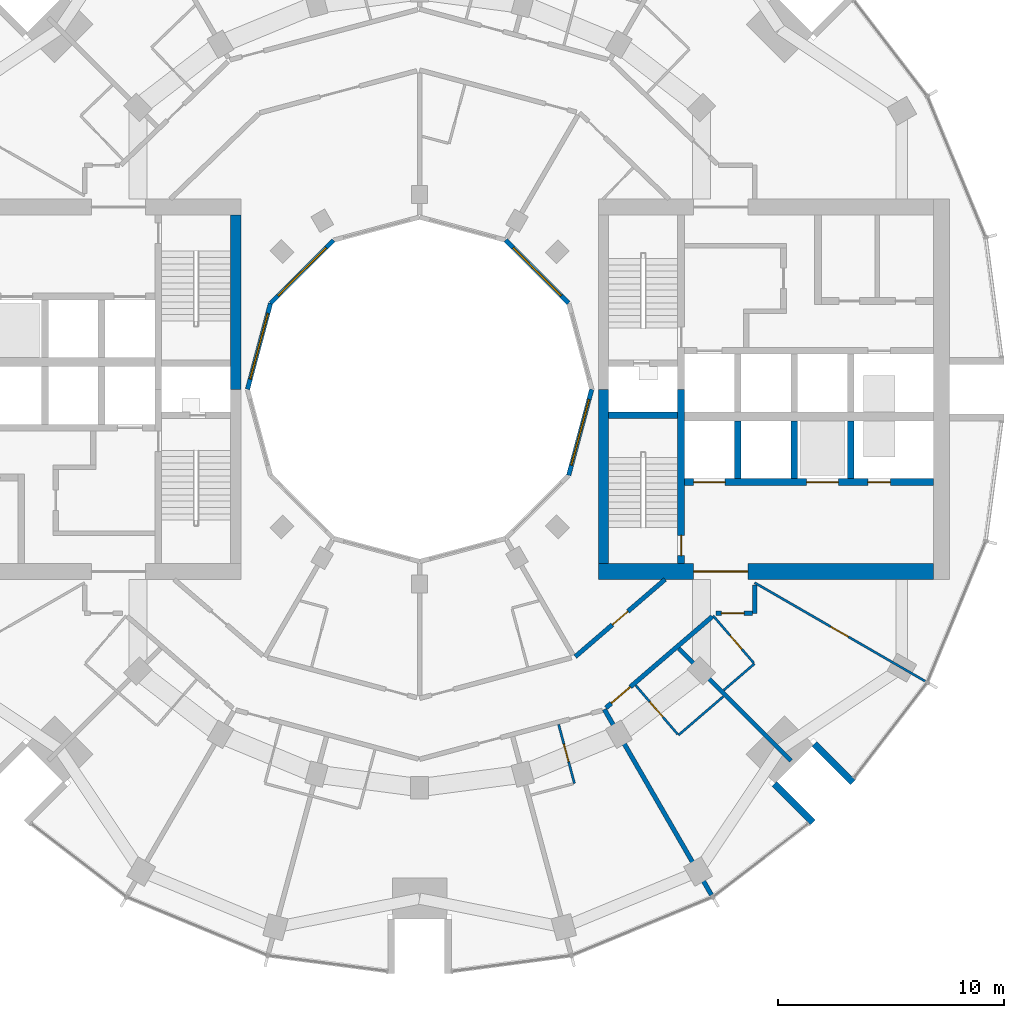
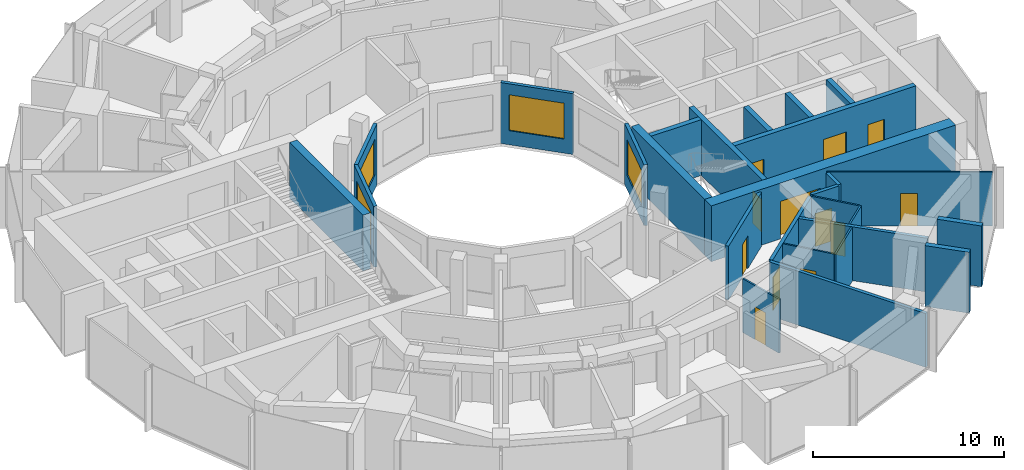
# One storey, part 10 of 15: 27 walls, 12 doors, 4 windows, 16 openings.
"""IFC4 building model written with IfcOpenShell, lengths in metres."""

from ifc_helpers import new_model, si_unit, direction, frame, frame_2d, origin, place, context, subcontext, project, spatial, rectangle, extrude, material, layer, layer_set, type_object, element, fill, save


model = new_model("IFC4")

# Units and contexts
model_context = context("Model", 3, precision=1e-05, world=origin(), true_north=direction((0.0, 1.0)))
body_context = subcontext(model_context, "Body", "Model", "MODEL_VIEW")
ifc_project = project(units=[si_unit("LENGTHUNIT", "METRE"), si_unit("AREAUNIT", "SQUARE_METRE"), si_unit("VOLUMEUNIT", "CUBIC_METRE"), si_unit("PLANEANGLEUNIT", "RADIAN"), si_unit("MASSUNIT", "GRAM", prefix="KILO")], contexts=[model_context])

# Site, building, storey
site_placement = place(None, origin())
site = spatial("IfcSite", under=ifc_project, at=site_placement, CompositionType="ELEMENT")
building_placement = place(site_placement, origin())
building = spatial("IfcBuilding", under=site, at=building_placement, Name="Torre Brocal", CompositionType="ELEMENT")
storey_placement = place(building_placement, frame((0.0, 0.0, 122.39990234375)))
storey = spatial("IfcBuildingStorey", under=building, at=storey_placement, Name="L28", CompositionType="ELEMENT", Elevation=122.39990234375)

# Wall, opening, door
ifc_material_1 = material(Name="Concrete C70", Category="concrete")
ifc_layer_1 = layer(ifc_material_1, 0.300048828125)
ifc_layer_set_1 = layer_set([ifc_layer_1], Name="Concrete C70")
wall_type_1 = type_object("IfcWallType", Name="CORE WALL 300 C70", PredefinedType="SHEAR", material=ifc_layer_set_1)
wall_1_placement = place(storey_placement, frame((91.550048828125, 67.300048828125, 0.0), z_axis=(0.0, 0.0, 1.0), x_axis=(0.0, 1.0, 0.0)))
wall_1 = element("IfcWall", 1, at=wall_1_placement, inside=storey, type_object=wall_type_1, Name="Wall CW300-70", PredefinedType="SHEAR", context=body_context, shape_type="SweptSolid", body=[
    extrude(rectangle(XDim=7.699951171875, YDim=0.300048828125, at=frame_2d((3.85009765625, 0.0))), origin(), (0.0, 0.0, 1.0), 3.580078125),
])
opening_1_placement = place(wall_1_placement, frame((0.35009765625, 0.0, 0.0)))
opening_1 = element("IfcOpeningElement", 2, at=opening_1_placement, cuts=wall_1, Name="Opening E-D03", PredefinedType="OPENING", context=body_context, shape_type="SweptSolid", body=[
    extrude(rectangle(XDim=0.89990234375, YDim=2.10009765625, at=frame_2d((0.449951171875, 1.050048828125))), frame((0.0, 0.159912109375, 0.0), z_axis=(0.0, -1.0, 0.0), x_axis=(1.0, 0.0, 0.0)), (0.0, 0.0, 1.0), 0.320068359375),
])
ifc_material_2 = material(Name="Steel A653", Category="steel")
door_type_1 = type_object("IfcDoorType", Name="STAIR DOOR FD120 900X2100", OperationType="SINGLE_SWING_RIGHT", PredefinedType="DOOR", material=ifc_material_2)
door_1_placement = place(opening_1_placement, origin())
door_1 = element("IfcDoor", 3, at=door_1_placement, inside=storey, type_object=door_type_1, Name="Door E-D03", OperationType="SINGLE_SWING_LEFT", OverallHeight=2.10009765625, OverallWidth=0.89990234375, PredefinedType="DOOR", context=body_context, shape_type="SweptSolid", body=[
    extrude(rectangle(XDim=0.89990234375, YDim=2.10009765625, at=frame_2d((0.449951171875, 1.050048828125))), frame((0.0, 0.02490234375, 0.0), z_axis=(0.0, -1.0, 0.0), x_axis=(1.0, 0.0, 0.0)), (0.0, 0.0, 1.0), 0.050048828125),
])
fill(opening_1, door_1)

# Wall
wall_2_placement = place(storey_placement, frame((88.35009765625, 73.85009765625, 0.0), z_axis=(0.0, 0.0, 1.0), x_axis=(1.0, 0.0, 0.0)))
element("IfcWall", 4, at=wall_2_placement, inside=storey, type_object=wall_type_1, Name="Wall CW300-70", PredefinedType="SHEAR", context=body_context, shape_type="SweptSolid", body=[
    extrude(rectangle(XDim=3.0498046875, YDim=0.300048828125, at=frame_2d((1.52490234375, 0.0))), origin(), (0.0, 0.0, 1.0), 3.580078125),
])

# Wall, openings, doors
wall_3_placement = place(storey_placement, frame((91.699951171875, 70.89990234375, 0.0), z_axis=(0.0, 0.0, 1.0), x_axis=(1.0, 0.0, 0.0)))
wall_3 = element("IfcWall", 5, at=wall_3_placement, inside=storey, type_object=wall_type_1, Name="Wall CW300-70", PredefinedType="SHEAR", context=body_context, shape_type="SweptSolid", body=[
    extrude(rectangle(XDim=11.0, YDim=0.300048828125, at=frame_2d((5.5, 0.0))), origin(), (0.0, 0.0, 1.0), 3.580078125),
])
opening_2_placement = place(wall_3_placement, frame((0.39990234375, 0.0, 0.0)))
opening_2 = element("IfcOpeningElement", 6, at=opening_2_placement, cuts=wall_3, Name="Opening LD14", PredefinedType="OPENING", context=body_context, shape_type="SweptSolid", body=[
    extrude(rectangle(XDim=1.39990234375, YDim=2.10009765625, at=frame_2d((0.699951171875, 1.050048828125))), frame((0.0, 0.159912109375, 0.0), z_axis=(0.0, -1.0, 0.0), x_axis=(1.0, 0.0, 0.0)), (0.0, 0.0, 1.0), 0.320068359375),
])
opening_3_placement = place(wall_3_placement, frame((5.39990234375, 0.0, 0.0)))
opening_3 = element("IfcOpeningElement", 7, at=opening_3_placement, cuts=wall_3, Name="Opening LD14", PredefinedType="OPENING", context=body_context, shape_type="SweptSolid", body=[
    extrude(rectangle(XDim=1.39990234375, YDim=2.10009765625, at=frame_2d((0.699951171875, 1.050048828125))), frame((0.0, 0.159912109375, 0.0), z_axis=(0.0, -1.0, 0.0), x_axis=(1.0, 0.0, 0.0)), (0.0, 0.0, 1.0), 0.320068359375),
])
opening_4_placement = place(wall_3_placement, frame((8.10009765625, 0.0, 0.0)))
opening_4 = element("IfcOpeningElement", 8, at=opening_4_placement, cuts=wall_3, Name="Opening LD10", PredefinedType="OPENING", context=body_context, shape_type="SweptSolid", body=[
    extrude(rectangle(XDim=1.0, YDim=2.10009765625, at=frame_2d((0.5, 1.050048828125))), frame((0.0, 0.159912109375, 0.0), z_axis=(0.0, -1.0, 0.0), x_axis=(1.0, 0.0, 0.0)), (0.0, 0.0, 1.0), 0.320068359375),
])
ifc_material_3 = material(Name="Stainless steel AISI 316", Category="steel")
door_type_2 = type_object("IfcDoorType", Name="LIFT LANDING DOOR 1000X2100", OperationType="DOUBLE_DOOR_SLIDING", PredefinedType="DOOR", material=ifc_material_3)
door_2_placement = place(opening_4_placement, origin())
door_2 = element("IfcDoor", 9, at=door_2_placement, inside=storey, type_object=door_type_2, Name="Door LD10", OperationType="DOUBLE_DOOR_SLIDING", OverallHeight=2.10009765625, OverallWidth=1.0, PredefinedType="DOOR", context=body_context, shape_type="SweptSolid", body=[
    extrude(rectangle(XDim=1.0, YDim=2.10009765625, at=frame_2d((0.5, 1.050048828125))), frame((0.0, 0.02490234375, 0.0), z_axis=(0.0, -1.0, 0.0), x_axis=(1.0, 0.0, 0.0)), (0.0, 0.0, 1.0), 0.050048828125),
])
fill(opening_4, door_2)
ifc_material_4 = material(Name="Stainless steel AISI 316", Category="steel")
door_type_3 = type_object("IfcDoorType", Name="LIFT LANDING DOOR 1400X2100", OperationType="DOUBLE_DOOR_SLIDING", PredefinedType="DOOR", material=ifc_material_4)
door_3_placement = place(opening_2_placement, origin())
door_3 = element("IfcDoor", 10, at=door_3_placement, inside=storey, type_object=door_type_3, Name="Door LD14", OperationType="DOUBLE_DOOR_SLIDING", OverallHeight=2.10009765625, OverallWidth=1.39990234375, PredefinedType="DOOR", context=body_context, shape_type="SweptSolid", body=[
    extrude(rectangle(XDim=1.39990234375, YDim=2.10009765625, at=frame_2d((0.699951171875, 1.050048828125))), frame((0.0, 0.02490234375, 0.0), z_axis=(0.0, -1.0, 0.0), x_axis=(1.0, 0.0, 0.0)), (0.0, 0.0, 1.0), 0.050048828125),
])
fill(opening_2, door_3)
door_4_placement = place(opening_3_placement, origin())
door_4 = element("IfcDoor", 11, at=door_4_placement, inside=storey, type_object=door_type_3, Name="Door LD14", OperationType="DOUBLE_DOOR_SLIDING", OverallHeight=2.10009765625, OverallWidth=1.39990234375, PredefinedType="DOOR", context=body_context, shape_type="SweptSolid", body=[
    extrude(rectangle(XDim=1.39990234375, YDim=2.10009765625, at=frame_2d((0.699951171875, 1.050048828125))), frame((0.0, 0.02490234375, 0.0), z_axis=(0.0, -1.0, 0.0), x_axis=(1.0, 0.0, 0.0)), (0.0, 0.0, 1.0), 0.050048828125),
])
fill(opening_3, door_4)

# Walls
for number, where, z_axis, x_axis, name in (
    (12, (94.050048828125, 71.050048828125, 0.0), (0.0, 0.0, 1.0), (0.0, 1.0, 0.0), "Wall CW300-70"),
    (13, (96.550048828125, 71.050048828125, 0.0), (0.0, 0.0, 1.0), (0.0, 1.0, 0.0), "Wall CW300-70"),
    (14, (99.050048828125, 71.050048828125, 0.0), (0.0, 0.0, 1.0), (0.0, 1.0, 0.0), "Wall CW300-70"),
):
    element("IfcWall", number, at=place(storey_placement, frame(where, z_axis=z_axis, x_axis=x_axis)), inside=storey, type_object=wall_type_1, Name=name, PredefinedType="SHEAR", context=body_context, shape_type="SweptSolid", body=[
        extrude(rectangle(XDim=2.550048828125, YDim=0.300048828125, at=frame_2d((1.27490234375, 0.0))), origin(), (0.0, 0.0, 1.0), 3.580078125),
    ])
ifc_material_5 = material(Name="Concrete C70", Category="concrete")
ifc_layer_2 = layer(ifc_material_5, 0.449951171875)
ifc_layer_set_2 = layer_set([ifc_layer_2], Name="Concrete C70")
wall_type_2 = type_object("IfcWallType", Name="CORE WALL 450 C70", PredefinedType="SHEAR", material=ifc_layer_set_2)
for number, where, z_axis, x_axis, name in (
    (15, (88.125, 67.300048828125, 0.0), (0.0, 0.0, 1.0), (0.0, 1.0, 0.0), "Wall CW450-70"),
    (16, (71.875, 82.699951171875, 0.0), (0.0, 0.0, 1.0), (0.0, -1.0, 0.0), "Wall CW450-70"),
):
    element("IfcWall", number, at=place(storey_placement, frame(where, z_axis=z_axis, x_axis=x_axis)), inside=storey, type_object=wall_type_2, Name=name, PredefinedType="SHEAR", context=body_context, shape_type="SweptSolid", body=[
        extrude(rectangle(XDim=7.699951171875, YDim=0.449951171875, at=frame_2d((3.85009765625, 0.0))), origin(), (0.0, 0.0, 1.0), 3.580078125),
    ])

# Wall, opening, door
ifc_material_6 = material(Name="Concrete C70", Category="concrete")
ifc_layer_3 = layer(ifc_material_6, 0.699951171875)
ifc_layer_set_3 = layer_set([ifc_layer_3], Name="Concrete C70")
wall_type_3 = type_object("IfcWallType", Name="CORE WALL 700 C70", PredefinedType="SHEAR", material=ifc_layer_set_3)
wall_4_placement = place(storey_placement, frame((87.89990234375, 66.949951171875, 0.0), z_axis=(0.0, 0.0, 1.0), x_axis=(1.0, 0.0, 0.0)))
wall_4 = element("IfcWall", 17, at=wall_4_placement, inside=storey, type_object=wall_type_3, Name="Wall CW700-70", PredefinedType="SHEAR", context=body_context, shape_type="SweptSolid", body=[
    extrude(rectangle(XDim=14.800048828125, YDim=0.699951171875, at=frame_2d((7.39990234375, 0.0))), origin(), (0.0, 0.0, 1.0), 3.580078125),
])
opening_5_placement = place(wall_4_placement, frame((4.199951171875, 0.0, 0.0)))
opening_5 = element("IfcOpeningElement", 18, at=opening_5_placement, cuts=wall_4, Name="Opening E-D27", PredefinedType="OPENING", context=body_context, shape_type="SweptSolid", body=[
    extrude(rectangle(XDim=2.39990234375, YDim=2.39990234375, at=frame_2d((1.199951171875, 1.199951171875))), frame((0.0, 0.35986328125, 0.0), z_axis=(0.0, -1.0, 0.0), x_axis=(1.0, 0.0, 0.0)), (0.0, 0.0, 1.0), 0.719970703125),
])
ifc_material_7 = material(Name="Steel A653", Category="steel")
door_type_4 = type_object("IfcDoorType", Name="DOUBLE FIRE DOOR FD90 2400X2400", OperationType="DOUBLE_DOOR_SINGLE_SWING", PredefinedType="DOOR", material=ifc_material_7)
door_5_placement = place(opening_5_placement, origin())
door_5 = element("IfcDoor", 19, at=door_5_placement, inside=storey, type_object=door_type_4, Name="Door E-D27", OperationType="DOUBLE_DOOR_SINGLE_SWING", OverallHeight=2.39990234375, OverallWidth=2.39990234375, PredefinedType="DOOR", context=body_context, shape_type="SweptSolid", body=[
    extrude(rectangle(XDim=2.39990234375, YDim=2.39990234375, at=frame_2d((1.199951171875, 1.199951171875))), frame((0.0, 0.02490234375, 0.0), z_axis=(0.0, -1.0, 0.0), x_axis=(1.0, 0.0, 0.0)), (0.0, 0.0, 1.0), 0.050048828125),
])
fill(opening_5, door_5)

# Walls
ifc_material_8 = material(Name="Concrete C70", Category="concrete")
ifc_layer_4 = layer(ifc_material_8, 0.300048828125)
ifc_layer_set_4 = layer_set([ifc_layer_4], Name="Concrete C70")
wall_type_4 = type_object("IfcWallType", Name="NOTCH RETURN WALL 300 C70", PredefinedType="NOTDEFINED", material=ifc_layer_set_4)
for number, where, z_axis, x_axis, name in (
    (20, (95.662353515625, 57.56982421875, 0.0), (0.0, 0.0, 1.0), (0.707106781187, -0.707106781187, 0.0), "NOTCH RETURN WALL"),
    (21, (97.43017578125, 59.337646484375, 0.0), (0.0, 0.0, 1.0), (0.707106781187, -0.707106781187, 0.0), "NOTCH RETURN WALL"),
):
    element("IfcWall", number, at=place(storey_placement, frame(where, z_axis=z_axis, x_axis=x_axis)), inside=storey, type_object=wall_type_4, Name=name, PredefinedType="NOTDEFINED", context=body_context, shape_type="SweptSolid", body=[
        extrude(rectangle(XDim=2.415771484375, YDim=0.300048828125, at=frame_2d((1.2080078125, 0.0))), origin(), (0.0, 0.0, 1.0), 3.900146484375),
    ])

# Wall, opening, door
ifc_material_9 = material(Name="Gypsum board", Category="Gypsum")
ifc_layer_5 = layer(ifc_material_9, 0.10009765625)
ifc_layer_set_5 = layer_set([ifc_layer_5], Name="Gypsum board")
wall_type_5 = type_object("IfcWallType", Name="PARTITION 100", PredefinedType="PARTITIONING", material=ifc_layer_set_5)
wall_5_placement = place(storey_placement, frame((86.139892578125, 60.196044921875, 0.0), z_axis=(0.0, 0.0, 1.0), x_axis=(0.258945475746, -0.965891940432, 0.0)))
wall_5 = element("IfcWall", 22, at=wall_5_placement, inside=storey, type_object=wall_type_5, Name="BATHROOM WALL", PredefinedType="PARTITIONING", context=body_context, shape_type="SweptSolid", body=[
    extrude(rectangle(XDim=2.7001953125, YDim=0.10009765625, at=frame_2d((1.35009765625, 0.0))), origin(), (0.0, 0.0, 1.0), 3.4501953125),
])
opening_6_placement = place(wall_5_placement, frame((0.89990234375, 0.0, 0.0)))
opening_6 = element("IfcOpeningElement", 23, at=opening_6_placement, cuts=wall_5, Name="Opening E01-D25", PredefinedType="OPENING", context=body_context, shape_type="SweptSolid", body=[
    extrude(rectangle(XDim=0.800048828125, YDim=2.10009765625, at=frame_2d((0.39990234375, 1.050048828125))), frame((0.0, 0.06005859375, 0.0), z_axis=(0.0, -1.0, 0.0), x_axis=(1.0, 0.0, 0.0)), (0.0, 0.0, 1.0), 0.1201171875),
])
ifc_material_10 = material(Name="Timber", Category="wood")
door_type_5 = type_object("IfcDoorType", Name="BATHROOM DOOR 800X2100", OperationType="SINGLE_SWING_LEFT", PredefinedType="DOOR", material=ifc_material_10)
door_6_placement = place(opening_6_placement, frame((0.800048828125, 0.0, 0.0), z_axis=(0.0, 0.0, 1.0), x_axis=(-1.0, 0.0, 0.0)))
door_6 = element("IfcDoor", 24, at=door_6_placement, inside=storey, type_object=door_type_5, Name="E01-D25", OperationType="SINGLE_SWING_RIGHT", OverallHeight=2.10009765625, OverallWidth=0.800048828125, PredefinedType="DOOR", context=body_context, shape_type="SweptSolid", body=[
    extrude(rectangle(XDim=0.800048828125, YDim=2.10009765625, at=frame_2d((0.39990234375, 1.050048828125))), frame((0.0, 0.02490234375, 0.0), z_axis=(0.0, -1.0, 0.0), x_axis=(1.0, 0.0, 0.0)), (0.0, 0.0, 1.0), 0.050048828125),
])
fill(opening_6, door_6)

wall_6_placement = place(storey_placement, frame((89.543212890625, 61.9208984375, 0.0), z_axis=(0.0, 0.0, 1.0), x_axis=(0.651996917864, -0.758221616083, 0.0)))
wall_6 = element("IfcWall", 25, at=wall_6_placement, inside=storey, type_object=wall_type_5, Name="BATHROOM WALL", PredefinedType="PARTITIONING", context=body_context, shape_type="SweptSolid", body=[
    extrude(rectangle(XDim=2.849853515625, YDim=0.10009765625, at=frame_2d((1.4248046875, 0.0))), origin(), (0.0, 0.0, 1.0), 3.4501953125),
])
opening_7_placement = place(wall_6_placement, frame((0.949951171875, 0.0, 0.0)))
opening_7 = element("IfcOpeningElement", 26, at=opening_7_placement, cuts=wall_6, Name="Opening E01-D23", PredefinedType="OPENING", context=body_context, shape_type="SweptSolid", body=[
    extrude(rectangle(XDim=0.89990234375, YDim=2.10009765625, at=frame_2d((0.449951171875, 1.050048828125))), frame((0.0, 0.06005859375, 0.0), z_axis=(0.0, -1.0, 0.0), x_axis=(1.0, 0.0, 0.0)), (0.0, 0.0, 1.0), 0.1201171875),
])
ifc_material_11 = material(Name="Timber", Category="wood")
door_type_6 = type_object("IfcDoorType", Name="ACCESSIBLE BATHROOM DOOR 900X2100", OperationType="SINGLE_SWING_LEFT", PredefinedType="DOOR", material=ifc_material_11)
door_7_placement = place(opening_7_placement, origin())
door_7 = element("IfcDoor", 27, at=door_7_placement, inside=storey, type_object=door_type_6, Name="E01-D23", OperationType="SINGLE_SWING_LEFT", OverallHeight=2.10009765625, OverallWidth=0.89990234375, PredefinedType="DOOR", context=body_context, shape_type="SweptSolid", body=[
    extrude(rectangle(XDim=0.89990234375, YDim=2.10009765625, at=frame_2d((0.449951171875, 1.050048828125))), frame((0.0, 0.02490234375, 0.0), z_axis=(0.0, -1.0, 0.0), x_axis=(1.0, 0.0, 0.0)), (0.0, 0.0, 1.0), 0.050048828125),
])
fill(opening_7, door_7)

# Wall
wall_7_placement = place(storey_placement, frame((91.43408203125, 59.721923828125, 0.0), z_axis=(0.0, 0.0, 1.0), x_axis=(0.758076316785, 0.652165851552, 0.0)))
element("IfcWall", 28, at=wall_7_placement, inside=storey, type_object=wall_type_5, Name="BATHROOM WALL", PredefinedType="PARTITIONING", context=body_context, shape_type="SweptSolid", body=[
    extrude(rectangle(XDim=2.616455078125, YDim=0.10009765625, at=frame_2d((1.30810546875, 0.0))), origin(), (0.0, 0.0, 1.0), 3.4501953125),
])

# Wall, opening, door
wall_8_placement = place(storey_placement, frame((92.965087890625, 64.996826171875, 0.0), z_axis=(0.0, 0.0, 1.0), x_axis=(0.652069888227, -0.758158862553, 0.0)))
wall_8 = element("IfcWall", 29, at=wall_8_placement, inside=storey, type_object=wall_type_5, Name="BATHROOM WALL", PredefinedType="PARTITIONING", context=body_context, shape_type="SweptSolid", body=[
    extrude(rectangle(XDim=2.75, YDim=0.10009765625, at=frame_2d((1.375, 0.0))), origin(), (0.0, 0.0, 1.0), 3.4501953125),
])
opening_8_placement = place(wall_8_placement, frame((1.14990234375, 0.0, 0.0)))
opening_8 = element("IfcOpeningElement", 30, at=opening_8_placement, cuts=wall_8, Name="Opening E01-D20", PredefinedType="OPENING", context=body_context, shape_type="SweptSolid", body=[
    extrude(rectangle(XDim=0.800048828125, YDim=2.10009765625, at=frame_2d((0.39990234375, 1.050048828125))), frame((0.0, 0.06005859375, 0.0), z_axis=(0.0, -1.0, 0.0), x_axis=(1.0, 0.0, 0.0)), (0.0, 0.0, 1.0), 0.1201171875),
])
door_8_placement = place(opening_8_placement, frame((0.800048828125, 0.0, 0.0), z_axis=(0.0, 0.0, 1.0), x_axis=(-1.0, 0.0, 0.0)))
door_8 = element("IfcDoor", 31, at=door_8_placement, inside=storey, type_object=door_type_5, Name="E01-D20", OperationType="SINGLE_SWING_LEFT", OverallHeight=2.10009765625, OverallWidth=0.800048828125, PredefinedType="DOOR", context=body_context, shape_type="SweptSolid", body=[
    extrude(rectangle(XDim=0.800048828125, YDim=2.10009765625, at=frame_2d((0.39990234375, 1.050048828125))), frame((0.0, 0.02490234375, 0.0), z_axis=(0.0, -1.0, 0.0), x_axis=(1.0, 0.0, 0.0)), (0.0, 0.0, 1.0), 0.050048828125),
])
fill(opening_8, door_8)

# Wall
wall_9_placement = place(storey_placement, frame((93.434814453125, 61.707275390625, 0.0), z_axis=(0.0, 0.0, 1.0), x_axis=(0.758070495124, 0.652172618578, 0.0)))
element("IfcWall", 32, at=wall_9_placement, inside=storey, type_object=wall_type_5, Name="BATHROOM WALL", PredefinedType="PARTITIONING", context=body_context, shape_type="SweptSolid", body=[
    extrude(rectangle(XDim=1.7890625, YDim=0.10009765625, at=frame_2d((0.89453125, 0.0))), origin(), (0.0, 0.0, 1.0), 3.4501953125),
])

# Wall, opening, door
wall_10_placement = place(storey_placement, frame((94.800048828125, 66.455078125, 0.0), z_axis=(0.0, 0.0, 1.0), x_axis=(0.86602264145, -0.500004784474, 0.0)))
wall_10 = element("IfcWall", 33, at=wall_10_placement, inside=storey, type_object=wall_type_5, Name="ROOM PARTITION", PredefinedType="PARTITIONING", context=body_context, shape_type="SweptSolid", body=[
    extrude(rectangle(XDim=8.7080078125, YDim=0.10009765625, at=frame_2d((4.35400390625, 0.0))), origin(), (0.0, 0.0, 1.0), 3.4501953125),
])
opening_9_placement = place(wall_10_placement, frame((3.87890625, 0.0, 0.0)))
opening_9 = element("IfcOpeningElement", 34, at=opening_9_placement, cuts=wall_10, Name="Opening E01-D21", PredefinedType="OPENING", context=body_context, shape_type="SweptSolid", body=[
    extrude(rectangle(XDim=0.89990234375, YDim=2.10009765625, at=frame_2d((0.449951171875, 1.050048828125))), frame((0.0, 0.06005859375, 0.0), z_axis=(0.0, -1.0, 0.0), x_axis=(1.0, 0.0, 0.0)), (0.0, 0.0, 1.0), 0.1201171875),
])
ifc_material_12 = material(Name="Timber", Category="wood")
door_type_7 = type_object("IfcDoorType", Name="ROOM DOOR 900X2100", OperationType="SINGLE_SWING_LEFT", PredefinedType="DOOR", material=ifc_material_12)
door_9_placement = place(opening_9_placement, origin())
door_9 = element("IfcDoor", 35, at=door_9_placement, inside=storey, type_object=door_type_7, Name="E01-D21", OperationType="SINGLE_SWING_LEFT", OverallHeight=2.10009765625, OverallWidth=0.89990234375, PredefinedType="DOOR", context=body_context, shape_type="SweptSolid", body=[
    extrude(rectangle(XDim=0.89990234375, YDim=2.10009765625, at=frame_2d((0.449951171875, 1.050048828125))), frame((0.0, 0.02490234375, 0.0), z_axis=(0.0, -1.0, 0.0), x_axis=(1.0, 0.0, 0.0)), (0.0, 0.0, 1.0), 0.050048828125),
])
fill(opening_9, door_9)

ifc_material_13 = material(Name="Gypsum board", Category="Gypsum")
ifc_layer_6 = layer(ifc_material_13, 0.199951171875)
ifc_layer_set_6 = layer_set([ifc_layer_6], Name="Gypsum board")
wall_type_6 = type_object("IfcWallType", Name="PARTITION 200 EI60", PredefinedType="PARTITIONING", material=ifc_layer_set_6)
wall_11_placement = place(storey_placement, frame((86.876953125, 63.18896484375, 0.0), z_axis=(0.0, 0.0, 1.0), x_axis=(0.758075808328, 0.652166442581, 0.0)))
wall_11 = element("IfcWall", 36, at=wall_11_placement, inside=storey, type_object=wall_type_6, Name="CORRIDOR WALL", PredefinedType="PARTITIONING", context=body_context, shape_type="SweptSolid", body=[
    extrude(rectangle(XDim=5.23046875, YDim=0.199951171875, at=frame_2d((2.615234375, 0.0))), origin(), (0.0, 0.0, 1.0), 3.4501953125),
])
opening_10_placement = place(wall_11_placement, frame((2.165283203125, 0.0, 0.0)))
opening_10 = element("IfcOpeningElement", 37, at=opening_10_placement, cuts=wall_11, Name="Opening E01-D35", PredefinedType="OPENING", context=body_context, shape_type="SweptSolid", body=[
    extrude(rectangle(XDim=0.89990234375, YDim=2.10009765625, at=frame_2d((0.449951171875, 1.050048828125))), frame((0.0, 0.10986328125, 0.0), z_axis=(0.0, -1.0, 0.0), x_axis=(1.0, 0.0, 0.0)), (0.0, 0.0, 1.0), 0.219970703125),
])
door_10_placement = place(opening_10_placement, origin())
door_10 = element("IfcDoor", 38, at=door_10_placement, inside=storey, type_object=door_type_7, Name="E01-D35", OperationType="SINGLE_SWING_RIGHT", OverallHeight=2.10009765625, OverallWidth=0.89990234375, PredefinedType="DOOR", context=body_context, shape_type="SweptSolid", body=[
    extrude(rectangle(XDim=0.89990234375, YDim=2.10009765625, at=frame_2d((0.449951171875, 1.050048828125))), frame((0.0, 0.02490234375, 0.0), z_axis=(0.0, -1.0, 0.0), x_axis=(1.0, 0.0, 0.0)), (0.0, 0.0, 1.0), 0.050048828125),
])
fill(opening_10, door_10)

wall_12_placement = place(storey_placement, frame((88.234619140625, 60.931396484375, 0.0), z_axis=(0.0, 0.0, 1.0), x_axis=(0.758816241808, 0.651304775945, 0.0)))
wall_12 = element("IfcWall", 39, at=wall_12_placement, inside=storey, type_object=wall_type_6, Name="GUESTROOM CORRIDOR WALL", PredefinedType="PARTITIONING", context=body_context, shape_type="SweptSolid", body=[
    extrude(rectangle(XDim=6.185791015625, YDim=0.199951171875, at=frame_2d((3.0927734375, 0.0))), origin(), (0.0, 0.0, 1.0), 3.4501953125),
])
opening_11_placement = place(wall_12_placement, frame((0.3076171875, 0.0, 0.0)))
opening_11 = element("IfcOpeningElement", 40, at=opening_11_placement, cuts=wall_12, Name="Opening E01-D22", PredefinedType="OPENING", context=body_context, shape_type="SweptSolid", body=[
    extrude(rectangle(XDim=1.10009765625, YDim=2.10009765625, at=frame_2d((0.550048828125, 1.050048828125))), frame((0.0, 0.10986328125, 0.0), z_axis=(0.0, -1.0, 0.0), x_axis=(1.0, 0.0, 0.0)), (0.0, 0.0, 1.0), 0.219970703125),
])
ifc_material_14 = material(Name="Timber", Category="wood")
door_type_8 = type_object("IfcDoorType", Name="ACCESSIBLE ENTRY DOOR FD30S 1100X2100", OperationType="SINGLE_SWING_RIGHT", PredefinedType="DOOR", material=ifc_material_14)
door_11_placement = place(opening_11_placement, frame((1.10009765625, 0.0, 0.0), z_axis=(0.0, 0.0, 1.0), x_axis=(-1.0, 0.0, 0.0)))
door_11 = element("IfcDoor", 41, at=door_11_placement, inside=storey, type_object=door_type_8, Name="E01-D22", OperationType="SINGLE_SWING_LEFT", OverallHeight=2.10009765625, OverallWidth=1.10009765625, PredefinedType="DOOR", context=body_context, shape_type="SweptSolid", body=[
    extrude(rectangle(XDim=1.10009765625, YDim=2.10009765625, at=frame_2d((0.550048828125, 1.050048828125))), frame((0.0, 0.02490234375, 0.0), z_axis=(0.0, -1.0, 0.0), x_axis=(1.0, 0.0, 0.0)), (0.0, 0.0, 1.0), 0.050048828125),
])
fill(opening_11, door_11)

# Walls
wall_13_placement = place(storey_placement, frame((88.1591796875, 60.86279296875, 0.0), z_axis=(0.0, 0.0, 1.0), x_axis=(0.499935840196, -0.866062443296, 0.0)))
element("IfcWall", 42, at=wall_13_placement, inside=storey, type_object=wall_type_6, Name="PARTY PARTITION", PredefinedType="PARTITIONING", context=body_context, shape_type="SweptSolid", body=[
    extrude(rectangle(XDim=9.474853515625, YDim=0.199951171875, at=frame_2d((4.7373046875, 0.0))), origin(), (0.0, 0.0, 1.0), 3.4501953125),
])
wall_14_placement = place(storey_placement, frame((91.44921875, 63.547607421875, 0.0), z_axis=(0.0, 0.0, 1.0), x_axis=(0.706984804638, -0.707228736698, 0.0)))
element("IfcWall", 43, at=wall_14_placement, inside=storey, type_object=wall_type_6, Name="BATHROOM WALL", PredefinedType="PARTITIONING", context=body_context, shape_type="SweptSolid", body=[
    extrude(rectangle(XDim=7.006103515625, YDim=0.199951171875, at=frame_2d((3.5029296875, 0.0))), origin(), (0.0, 0.0, 1.0), 3.4501953125),
])

# Wall, opening, door
wall_15_placement = place(storey_placement, frame((93.0849609375, 65.10009765625, 0.0), z_axis=(0.0, 0.0, 1.0), x_axis=(1.0, 0.0, 0.0)))
wall_15 = element("IfcWall", 44, at=wall_15_placement, inside=storey, type_object=wall_type_6, Name="GUESTROOM CORRIDOR WALL", PredefinedType="PARTITIONING", context=body_context, shape_type="SweptSolid", body=[
    extrude(rectangle(XDim=1.614990234375, YDim=0.199951171875, at=frame_2d((0.8076171875, 0.0))), origin(), (0.0, 0.0, 1.0), 3.4501953125),
])
opening_12_placement = place(wall_15_placement, frame((0.25, 0.0, 0.0)))
opening_12 = element("IfcOpeningElement", 45, at=opening_12_placement, cuts=wall_15, Name="Opening E01-D19", PredefinedType="OPENING", context=body_context, shape_type="SweptSolid", body=[
    extrude(rectangle(XDim=1.0, YDim=2.10009765625, at=frame_2d((0.5, 1.050048828125))), frame((0.0, 0.10986328125, 0.0), z_axis=(0.0, -1.0, 0.0), x_axis=(1.0, 0.0, 0.0)), (0.0, 0.0, 1.0), 0.219970703125),
])
ifc_material_15 = material(Name="Timber", Category="wood")
door_type_9 = type_object("IfcDoorType", Name="FLAT ENTRY DOOR FD30S 1000X2100", OperationType="SINGLE_SWING_RIGHT", PredefinedType="DOOR", material=ifc_material_15)
door_12_placement = place(opening_12_placement, frame((1.0, 0.0, 0.0), z_axis=(0.0, 0.0, 1.0), x_axis=(-1.0, 0.0, 0.0)))
door_12 = element("IfcDoor", 46, at=door_12_placement, inside=storey, type_object=door_type_9, Name="E01-D19", OperationType="SINGLE_SWING_LEFT", OverallHeight=2.10009765625, OverallWidth=1.0, PredefinedType="DOOR", context=body_context, shape_type="SweptSolid", body=[
    extrude(rectangle(XDim=1.0, YDim=2.10009765625, at=frame_2d((0.5, 1.050048828125))), frame((0.0, 0.02490234375, 0.0), z_axis=(0.0, -1.0, 0.0), x_axis=(1.0, 0.0, 0.0)), (0.0, 0.0, 1.0), 0.050048828125),
])
fill(opening_12, door_12)

# Wall
wall_16_placement = place(storey_placement, frame((94.800048828125, 65.10009765625, 0.0), z_axis=(0.0, 0.0, 1.0), x_axis=(0.0, 1.0, 0.0)))
element("IfcWall", 47, at=wall_16_placement, inside=storey, type_object=wall_type_6, Name="GUESTROOM CORRIDOR WALL", PredefinedType="PARTITIONING", context=body_context, shape_type="SweptSolid", body=[
    extrude(rectangle(XDim=1.25, YDim=0.199951171875, at=frame_2d((0.625, 0.0))), origin(), (0.0, 0.0, 1.0), 3.4501953125),
])

# Wall, opening, window
ifc_material_16 = material(Name="Concrete C40", Category="concrete")
ifc_layer_7 = layer(ifc_material_16, 0.199951171875)
ifc_layer_set_7 = layer_set([ifc_layer_7], Name="Concrete C40")
wall_type_7 = type_object("IfcWallType", Name="WELL FACADE WALL 200", PredefinedType="NOTDEFINED", material=ifc_layer_set_7)
wall_17_placement = place(storey_placement, frame((86.5849609375, 78.8017578125, 0.0), z_axis=(0.0, 0.0, 1.0), x_axis=(-0.707106781187, 0.707106781187, 0.0)))
wall_17 = element("IfcWall", 48, at=wall_17_placement, inside=storey, type_object=wall_type_7, Name="WELL FACADE WALL", PredefinedType="NOTDEFINED", context=body_context, shape_type="SweptSolid", body=[
    extrude(rectangle(XDim=3.93603515625, YDim=0.199951171875, at=frame_2d((1.968017578125, 0.0))), origin(), (0.0, 0.0, 1.0), 3.900146484375),
])
opening_13_placement = place(wall_17_placement, frame((0.468017578125, 0.0, 0.89990234375)))
opening_13 = element("IfcOpeningElement", 49, at=opening_13_placement, cuts=wall_17, Name="Opening W1", PredefinedType="OPENING", context=body_context, shape_type="SweptSolid", body=[
    extrude(rectangle(XDim=3.0, YDim=2.300048828125, at=frame_2d((1.5, 1.14990234375))), frame((0.0, 0.10986328125, 0.0), z_axis=(0.0, -1.0, 0.0), x_axis=(1.0, 0.0, 0.0)), (0.0, 0.0, 1.0), 0.219970703125),
])
ifc_material_17 = material(Name="Aluminium and glass", Category="aluminium")
window_type = type_object("IfcWindowType", Name="WELL WINDOW 3000X2300", PartitioningType="SINGLE_PANEL", PredefinedType="WINDOW", material=ifc_material_17)
window_1_placement = place(opening_13_placement, origin())
window_1 = element("IfcWindow", 50, at=window_1_placement, inside=storey, type_object=window_type, Name="WELL WINDOW 3000X2300", OverallHeight=2.300048828125, OverallWidth=3.0, PartitioningType="SINGLE_PANEL", PredefinedType="WINDOW", context=body_context, shape_type="SweptSolid", body=[
    extrude(rectangle(XDim=3.0, YDim=2.300048828125, at=frame_2d((1.5, 1.14990234375))), frame((0.0, 0.030029296875, 0.0), z_axis=(0.0, -1.0, 0.0), x_axis=(1.0, 0.0, 0.0)), (0.0, 0.0, 1.0), 0.06005859375),
])
fill(opening_13, window_1)

wall_18_placement = place(storey_placement, frame((76.1982421875, 81.5849609375, 0.0), z_axis=(0.0, 0.0, 1.0), x_axis=(-0.707106781187, -0.707106781187, 0.0)))
wall_18 = element("IfcWall", 51, at=wall_18_placement, inside=storey, type_object=wall_type_7, Name="WELL FACADE WALL", PredefinedType="NOTDEFINED", context=body_context, shape_type="SweptSolid", body=[
    extrude(rectangle(XDim=3.93603515625, YDim=0.199951171875, at=frame_2d((1.968017578125, 0.0))), origin(), (0.0, 0.0, 1.0), 3.900146484375),
])
opening_14_placement = place(wall_18_placement, frame((0.468017578125, 0.0, 0.89990234375)))
opening_14 = element("IfcOpeningElement", 52, at=opening_14_placement, cuts=wall_18, Name="Opening W1", PredefinedType="OPENING", context=body_context, shape_type="SweptSolid", body=[
    extrude(rectangle(XDim=3.0, YDim=2.300048828125, at=frame_2d((1.5, 1.14990234375))), frame((0.0, 0.10986328125, 0.0), z_axis=(0.0, -1.0, 0.0), x_axis=(1.0, 0.0, 0.0)), (0.0, 0.0, 1.0), 0.219970703125),
])
window_2_placement = place(opening_14_placement, origin())
window_2 = element("IfcWindow", 53, at=window_2_placement, inside=storey, type_object=window_type, Name="WELL WINDOW 3000X2300", OverallHeight=2.300048828125, OverallWidth=3.0, PartitioningType="SINGLE_PANEL", PredefinedType="WINDOW", context=body_context, shape_type="SweptSolid", body=[
    extrude(rectangle(XDim=3.0, YDim=2.300048828125, at=frame_2d((1.5, 1.14990234375))), frame((0.0, 0.030029296875, 0.0), z_axis=(0.0, -1.0, 0.0), x_axis=(1.0, 0.0, 0.0)), (0.0, 0.0, 1.0), 0.06005859375),
])
fill(opening_14, window_2)

wall_19_placement = place(storey_placement, frame((73.4150390625, 78.8017578125, 0.0), z_axis=(0.0, 0.0, 1.0), x_axis=(-0.258789828301, -0.965933654434, 0.0)))
wall_19 = element("IfcWall", 54, at=wall_19_placement, inside=storey, type_object=wall_type_7, Name="WELL FACADE WALL", PredefinedType="NOTDEFINED", context=body_context, shape_type="SweptSolid", body=[
    extrude(rectangle(XDim=3.935791015625, YDim=0.199951171875, at=frame_2d((1.9677734375, 0.0))), origin(), (0.0, 0.0, 1.0), 3.900146484375),
])
opening_15_placement = place(wall_19_placement, frame((0.468017578125, 0.0, 0.89990234375)))
opening_15 = element("IfcOpeningElement", 55, at=opening_15_placement, cuts=wall_19, Name="Opening W1", PredefinedType="OPENING", context=body_context, shape_type="SweptSolid", body=[
    extrude(rectangle(XDim=3.0, YDim=2.300048828125, at=frame_2d((1.5, 1.14990234375))), frame((0.0, 0.10986328125, 0.0), z_axis=(0.0, -1.0, 0.0), x_axis=(1.0, 0.0, 0.0)), (0.0, 0.0, 1.0), 0.219970703125),
])
window_3_placement = place(opening_15_placement, origin())
window_3 = element("IfcWindow", 56, at=window_3_placement, inside=storey, type_object=window_type, Name="WELL WINDOW 3000X2300", OverallHeight=2.300048828125, OverallWidth=3.0, PartitioningType="SINGLE_PANEL", PredefinedType="WINDOW", context=body_context, shape_type="SweptSolid", body=[
    extrude(rectangle(XDim=3.0, YDim=2.300048828125, at=frame_2d((1.5, 1.14990234375))), frame((0.0, 0.030029296875, 0.0), z_axis=(0.0, -1.0, 0.0), x_axis=(1.0, 0.0, 0.0)), (0.0, 0.0, 1.0), 0.06005859375),
])
fill(opening_15, window_3)

wall_20_placement = place(storey_placement, frame((86.5849609375, 71.1982421875, 0.0), z_axis=(0.0, 0.0, 1.0), x_axis=(0.258789828301, 0.965933654434, 0.0)))
wall_20 = element("IfcWall", 57, at=wall_20_placement, inside=storey, type_object=wall_type_7, Name="WELL FACADE WALL", PredefinedType="NOTDEFINED", context=body_context, shape_type="SweptSolid", body=[
    extrude(rectangle(XDim=3.935791015625, YDim=0.199951171875, at=frame_2d((1.9677734375, 0.0))), origin(), (0.0, 0.0, 1.0), 3.900146484375),
])
opening_16_placement = place(wall_20_placement, frame((0.468017578125, 0.0, 0.89990234375)))
opening_16 = element("IfcOpeningElement", 58, at=opening_16_placement, cuts=wall_20, Name="Opening W1", PredefinedType="OPENING", context=body_context, shape_type="SweptSolid", body=[
    extrude(rectangle(XDim=3.0, YDim=2.300048828125, at=frame_2d((1.5, 1.14990234375))), frame((0.0, 0.10986328125, 0.0), z_axis=(0.0, -1.0, 0.0), x_axis=(1.0, 0.0, 0.0)), (0.0, 0.0, 1.0), 0.219970703125),
])
window_4_placement = place(opening_16_placement, origin())
window_4 = element("IfcWindow", 59, at=window_4_placement, inside=storey, type_object=window_type, Name="WELL WINDOW 3000X2300", OverallHeight=2.300048828125, OverallWidth=3.0, PartitioningType="SINGLE_PANEL", PredefinedType="WINDOW", context=body_context, shape_type="SweptSolid", body=[
    extrude(rectangle(XDim=3.0, YDim=2.300048828125, at=frame_2d((1.5, 1.14990234375))), frame((0.0, 0.030029296875, 0.0), z_axis=(0.0, -1.0, 0.0), x_axis=(1.0, 0.0, 0.0)), (0.0, 0.0, 1.0), 0.06005859375),
])
fill(opening_16, window_4)

save(model, "model.ifc")
